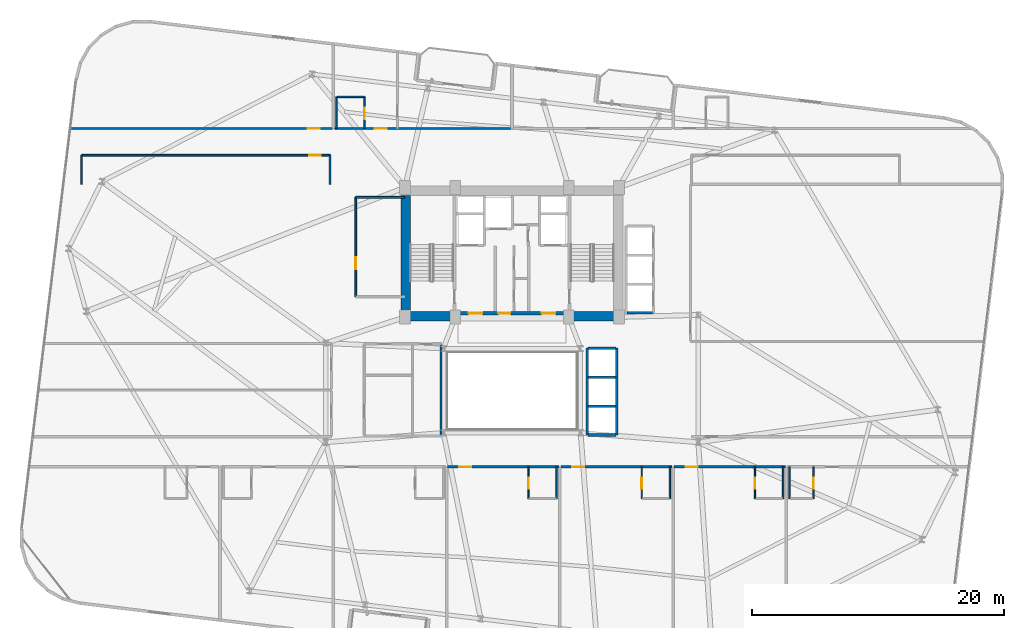
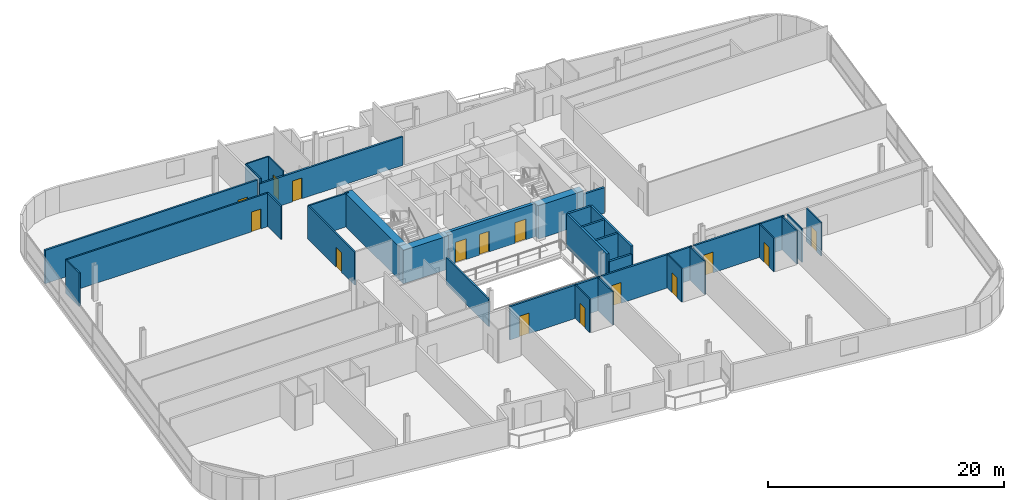
# One storey, part 21 of 26: 33 walls, 15 doors, 15 openings.
"""IFC4 building model written with IfcOpenShell, lengths in metres."""

import ifcopenshell
import ifcopenshell.guid

model = None  # the IFC model being written
_history = None  # IfcOwnerHistory: only IFC2X3 demands one
_inside = {}  # id of a spatial element -> (the spatial element, [elements in it])
_under = {}  # id of a project, library or spatial element -> (it, [spatial elements below it])
_declared = {}  # id of a project -> (the project, [libraries it declares])
_typed = {}  # id of a type object -> (the type object, [elements of that type])
_made_of = {}  # id of a material, layer set ... -> (it, [elements and type objects made of it])


def new_model(schema):
    """Start an empty IFC model of exactly this schema.

    Asked for "IFC4X3", IfcOpenShell would pick the latest addendum, in which some entities
    have other attributes; the version numbers below select the first issue.
    IFC2X3 requires an IfcOwnerHistory on every rooted entity: one is made here for all.
    """
    global model, _history
    if schema == "IFC4X3":
        model = ifcopenshell.file(schema_version=(4, 3, 0, 0))
    else:
        model = ifcopenshell.file(schema=schema)
    _inside.clear()
    _under.clear()
    _declared.clear()
    _typed.clear()
    _made_of.clear()
    _history = None
    if model.schema == "IFC2X3":
        org = make("IfcOrganization", Name="unknown")
        user = make(
            "IfcPersonAndOrganization",
            ThePerson=make("IfcPerson", FamilyName="unknown"),
            TheOrganization=org,
        )
        app = make(
            "IfcApplication",
            ApplicationDeveloper=org,
            Version="unknown",
            ApplicationFullName="unknown",
            ApplicationIdentifier="unknown",
        )
        _history = make(
            "IfcOwnerHistory",
            OwningUser=user,
            OwningApplication=app,
            ChangeAction="ADDED",
            CreationDate=0,
        )
    return model


def make(cls, **values):
    """One entity of the class cls with the attributes given. An attribute that is None is left unset."""
    return model.create_entity(
        cls, **{name: value for name, value in values.items() if value is not None}
    )


def rooted(cls, **values):
    """An entity with a GlobalId (a new one), such as an element, a storey or a relation."""
    return make(cls, GlobalId=ifcopenshell.guid.new(), OwnerHistory=_history, **values)


def si_unit(unit_type, name, prefix=None):
    """IfcSIUnit, for example si_unit("LENGTHUNIT", "METRE", prefix="MILLI")."""
    return make("IfcSIUnit", UnitType=unit_type, Prefix=prefix, Name=name)


def assignment(units):
    """IfcUnitAssignment: the units of a project."""
    return None if units is None else make("IfcUnitAssignment", Units=units)


def point(xyz):
    """IfcCartesianPoint."""
    return None if xyz is None else make("IfcCartesianPoint", Coordinates=xyz)


def direction(xyz):
    """IfcDirection."""
    return None if xyz is None else make("IfcDirection", DirectionRatios=xyz)


def frame(location, z_axis=None, x_axis=None):
    """IfcAxis2Placement3D, a coordinate frame: its origin and axes. An axis left out is left unset."""
    return make(
        "IfcAxis2Placement3D",
        Location=point(location),
        Axis=direction(z_axis),
        RefDirection=direction(x_axis),
    )


def frame_2d(location, x_axis=None):
    """IfcAxis2Placement2D, a coordinate frame in the plane: its origin and x axis."""
    return make(
        "IfcAxis2Placement2D", Location=point(location), RefDirection=direction(x_axis)
    )


def origin():
    """The frame at (0, 0, 0) with its axes left unset."""
    return frame((0.0, 0.0, 0.0))


def place(relative_to, where):
    """IfcLocalPlacement: puts the frame where relative to a parent placement (None: the world)."""
    return make(
        "IfcLocalPlacement", PlacementRelTo=relative_to, RelativePlacement=where
    )


def context(
    kind, dimensions, precision=None, world=None, true_north=None, identifier=None
):
    """IfcGeometricRepresentationContext, for example the 3D "Model" context."""
    return make(
        "IfcGeometricRepresentationContext",
        ContextIdentifier=identifier,
        ContextType=kind,
        CoordinateSpaceDimension=dimensions,
        Precision=precision,
        WorldCoordinateSystem=world,
        TrueNorth=true_north,
    )


def subcontext(parent, identifier, kind, view, scale=None):
    """IfcGeometricRepresentationSubContext, for example "Body" below "Model"."""
    return make(
        "IfcGeometricRepresentationSubContext",
        ContextIdentifier=identifier,
        ContextType=kind,
        ParentContext=parent,
        TargetScale=scale,
        TargetView=view,
    )


def project(units=None, contexts=None):
    """IfcProject with its units and contexts."""
    return rooted(
        "IfcProject",
        Name="project",
        RepresentationContexts=contexts,
        UnitsInContext=assignment(units),
    )


def spatial(cls, under=None, at=None, **own):
    """A site, building, storey or space (cls), placed at a placement, below another one or the project."""
    s = rooted(cls, ObjectPlacement=at, **own)
    if under is not None:
        _under.setdefault(under.id(), (under, []))[1].append(s)
    return s


def profile(cls, at=None, kind="AREA", **sizes):
    """A parametric profile (cls). Its sizes go by their IFC names, for example OverallWidth=200.0."""
    return make(cls, ProfileType=kind, Position=at, **sizes)


def rectangle(**sizes):
    """IfcRectangleProfileDef."""
    return profile("IfcRectangleProfileDef", **sizes)


def extrude(swept, where, along, depth):
    """IfcExtrudedAreaSolid: the profile swept, set in the frame where, extruded along a direction by depth."""
    return make(
        "IfcExtrudedAreaSolid",
        SweptArea=swept,
        Position=where,
        ExtrudedDirection=direction(along),
        Depth=depth,
    )


def shape(context_of_items, identifier, shape_type, items):
    """IfcShapeRepresentation: the items that make up one representation, for example the "Body"."""
    return make(
        "IfcShapeRepresentation",
        ContextOfItems=context_of_items,
        RepresentationIdentifier=identifier,
        RepresentationType=shape_type,
        Items=items,
    )


def material(Name=None, Category=None):
    """IfcMaterial."""
    return make("IfcMaterial", Name=Name, Category=Category)


def layer(
    of_material, thickness, ventilated=None, Name=None, Category=None, Priority=None
):
    """IfcMaterialLayer: one layer of a wall or slab, of a material (None: an air gap)."""
    return make(
        "IfcMaterialLayer",
        Material=of_material,
        LayerThickness=thickness,
        IsVentilated=ventilated,
        Name=Name,
        Category=Category,
        Priority=Priority,
    )


def layer_set(layers, Name=None):
    """IfcMaterialLayerSet."""
    return make("IfcMaterialLayerSet", MaterialLayers=layers, LayerSetName=Name)


def made_of(thing, what):
    """Note that an element or type object is made of a material, layer set ...; save() writes the relation."""
    if what is not None:
        _made_of.setdefault(what.id(), (what, []))[1].append(thing)
    return thing


def type_object(cls, material=None, **own):
    """A type object (cls), such as IfcWallType, which elements share."""
    return made_of(rooted(cls, **own), material)


def element(
    cls,
    number,
    at=None,
    inside=None,
    cuts=None,
    type_object=None,
    material=None,
    context=None,
    identifier="Body",
    shape_type=None,
    held_by="IfcProductDefinitionShape",
    body=None,
    shapes=None,
    **own,
):
    """One element of the class cls, such as IfcWall. Its Tag is "e" and its number.

    at: its placement. inside: the storey or other place that contains it. cuts: it is an
    opening in that element (IfcRelVoidsElement). A single representation is given by context,
    identifier, shape_type and body (its items); several are given by shapes. held_by: the class
    of the entity that holds the representations. save() writes the other relations.
    """
    e = rooted(cls, Tag="e%d" % number, ObjectPlacement=at, **own)
    if body is not None:
        shapes = [shape(context, identifier, shape_type, body)]
    if shapes is not None:
        e.Representation = make(held_by, Representations=shapes)
    if inside is not None:
        _inside.setdefault(inside.id(), (inside, []))[1].append(e)
    if cuts is not None:
        rooted(
            "IfcRelVoidsElement", RelatingBuildingElement=cuts, RelatedOpeningElement=e
        )
    if type_object is not None:
        _typed.setdefault(type_object.id(), (type_object, []))[1].append(e)
    return made_of(e, material)


def fill(opening, filler):
    """IfcRelFillsElement: the door or window that sits in an opening."""
    return rooted(
        "IfcRelFillsElement",
        RelatingOpeningElement=opening,
        RelatedBuildingElement=filler,
    )


def aggregate(whole, parts):
    """IfcRelAggregates: a whole, such as a stair, and the parts it consists of."""
    return rooted("IfcRelAggregates", RelatingObject=whole, RelatedObjects=parts)


def save(model, path):
    """Write the relations noted so far, then the file.

    IfcRelAggregates (storeys below a building ...), IfcRelContainedInSpatialStructure (elements
    in a storey), IfcRelDefinesByType, IfcRelAssociatesMaterial and IfcRelDeclares: one each for
    every whole, place, type object, material and project.
    """
    for whole, parts in _under.values():
        aggregate(whole, parts)
    for where, things in _inside.values():
        rooted(
            "IfcRelContainedInSpatialStructure",
            RelatedElements=things,
            RelatingStructure=where,
        )
    for kind, things in _typed.values():
        rooted("IfcRelDefinesByType", RelatedObjects=things, RelatingType=kind)
    for what, things in _made_of.values():
        rooted("IfcRelAssociatesMaterial", RelatedObjects=things, RelatingMaterial=what)
    for by, libraries in _declared.values():
        rooted("IfcRelDeclares", RelatingContext=by, RelatedDefinitions=libraries)
    model.write(path)


model = new_model("IFC4")

# Units and contexts
model_context = context("Model", 3, precision=1e-05, world=origin(), true_north=direction((0.0, 1.0)))
body_context = subcontext(model_context, "Body", "Model", "MODEL_VIEW")
ifc_project = project(units=[si_unit("LENGTHUNIT", "METRE"), si_unit("AREAUNIT", "SQUARE_METRE"), si_unit("VOLUMEUNIT", "CUBIC_METRE"), si_unit("PLANEANGLEUNIT", "RADIAN"), si_unit("MASSUNIT", "GRAM", prefix="KILO")], contexts=[model_context])

# Site, building, storey
site_placement = place(None, origin())
site = spatial("IfcSite", under=ifc_project, at=site_placement, CompositionType="ELEMENT")
building_placement = place(site_placement, origin())
building = spatial("IfcBuilding", under=site, at=building_placement, Name="Varnelok Gate Tower", CompositionType="ELEMENT")
storey_placement = place(building_placement, frame((0.0, 0.0, 151.300048828125)))
storey = spatial("IfcBuildingStorey", under=building, at=storey_placement, Name="L38", CompositionType="ELEMENT", Elevation=151.300048828125)

# Wall, opening, door
ifc_material_1 = material(Name="Gypsum Plasterboard Acoustic Partition", Category="gypsum")
ifc_layer_1 = layer(ifc_material_1, 0.179931640625)
ifc_layer_set_1 = layer_set([ifc_layer_1], Name="Gypsum Plasterboard Acoustic Partition")
wall_type_1 = type_object("IfcWallType", Name="PW-CORR-180", PredefinedType="PARTITIONING", material=ifc_layer_set_1)
wall_1_placement = place(storey_placement, frame((34.080078125, 16.85009765625, 0.0), z_axis=(0.0, 0.0, 1.0), x_axis=(1.0, 0.0, 0.0)))
wall_1 = element("IfcWall", 1, at=wall_1_placement, inside=storey, type_object=wall_type_1, Name="Interior Partition", PredefinedType="PARTITIONING", context=body_context, shape_type="SweptSolid", body=[
    extrude(rectangle(XDim=8.83984375, YDim=0.179931640625, at=frame_2d((4.419921875, 0.0))), origin(), (0.0, 0.0, 1.0), 3.449951171875),
])
opening_1_placement = place(wall_1_placement, frame((0.91796875, 0.0, 0.0)))
opening_1 = element("IfcOpeningElement", 2, at=opening_1_placement, cuts=wall_1, Name="Opening D-HT", PredefinedType="OPENING", context=body_context, shape_type="SweptSolid", body=[
    extrude(rectangle(XDim=0.949951171875, YDim=2.14990234375, at=frame_2d((0.47509765625, 1.074951171875))), frame((0.0, 0.099853515625, 0.0), z_axis=(0.0, -1.0, 0.0), x_axis=(1.0, 0.0, 0.0)), (0.0, 0.0, 1.0), 0.199951171875),
])
ifc_material_2 = material(Name="Engineered Hardwood Timber", Category="wood")
door_type_1 = type_object("IfcDoorType", Name="DR-HTL-950", OperationType="NOTDEFINED", PredefinedType="DOOR", material=ifc_material_2)
door_1_placement = place(opening_1_placement, origin())
door_1 = element("IfcDoor", 3, at=door_1_placement, inside=storey, type_object=door_type_1, Name="L38 Guest Room 04 Entrance Door", OperationType="SINGLE_SWING_LEFT", OverallHeight=2.14990234375, OverallWidth=0.949951171875, PredefinedType="DOOR", context=body_context, shape_type="SweptSolid", body=[
    extrude(rectangle(XDim=0.949951171875, YDim=2.14990234375, at=frame_2d((0.47509765625, 1.074951171875))), frame((0.0, 0.02490234375, 0.0), z_axis=(0.0, -1.0, 0.0), x_axis=(1.0, 0.0, 0.0)), (0.0, 0.0, 1.0), 0.050048828125),
])
fill(opening_1, door_1)

wall_2_placement = place(storey_placement, frame((43.080078125, 16.85009765625, 0.0), z_axis=(0.0, 0.0, 1.0), x_axis=(1.0, 0.0, 0.0)))
wall_2 = element("IfcWall", 4, at=wall_2_placement, inside=storey, type_object=wall_type_1, Name="Interior Partition", PredefinedType="PARTITIONING", context=body_context, shape_type="SweptSolid", body=[
    extrude(rectangle(XDim=8.83984375, YDim=0.179931640625, at=frame_2d((4.419921875, 0.0))), origin(), (0.0, 0.0, 1.0), 3.449951171875),
])
opening_2_placement = place(wall_2_placement, frame((0.91796875, 0.0, 0.0)))
opening_2 = element("IfcOpeningElement", 5, at=opening_2_placement, cuts=wall_2, Name="Opening D-HT", PredefinedType="OPENING", context=body_context, shape_type="SweptSolid", body=[
    extrude(rectangle(XDim=0.949951171875, YDim=2.14990234375, at=frame_2d((0.47509765625, 1.074951171875))), frame((0.0, 0.099853515625, 0.0), z_axis=(0.0, -1.0, 0.0), x_axis=(1.0, 0.0, 0.0)), (0.0, 0.0, 1.0), 0.199951171875),
])
door_2_placement = place(opening_2_placement, origin())
door_2 = element("IfcDoor", 6, at=door_2_placement, inside=storey, type_object=door_type_1, Name="L38 Guest Room 05 Entrance Door", OperationType="SINGLE_SWING_RIGHT", OverallHeight=2.14990234375, OverallWidth=0.949951171875, PredefinedType="DOOR", context=body_context, shape_type="SweptSolid", body=[
    extrude(rectangle(XDim=0.949951171875, YDim=2.14990234375, at=frame_2d((0.47509765625, 1.074951171875))), frame((0.0, 0.02490234375, 0.0), z_axis=(0.0, -1.0, 0.0), x_axis=(1.0, 0.0, 0.0)), (0.0, 0.0, 1.0), 0.050048828125),
])
fill(opening_2, door_2)

wall_3_placement = place(storey_placement, frame((52.080078125, 16.85009765625, 0.0), z_axis=(0.0, 0.0, 1.0), x_axis=(1.0, 0.0, 0.0)))
wall_3 = element("IfcWall", 7, at=wall_3_placement, inside=storey, type_object=wall_type_1, Name="Interior Partition", PredefinedType="PARTITIONING", context=body_context, shape_type="SweptSolid", body=[
    extrude(rectangle(XDim=8.83984375, YDim=0.179931640625, at=frame_2d((4.419921875, 0.0))), origin(), (0.0, 0.0, 1.0), 3.449951171875),
])
opening_3_placement = place(wall_3_placement, frame((0.91796875, 0.0, 0.0)))
opening_3 = element("IfcOpeningElement", 8, at=opening_3_placement, cuts=wall_3, Name="Opening D-HT", PredefinedType="OPENING", context=body_context, shape_type="SweptSolid", body=[
    extrude(rectangle(XDim=0.949951171875, YDim=2.14990234375, at=frame_2d((0.47509765625, 1.074951171875))), frame((0.0, 0.099853515625, 0.0), z_axis=(0.0, -1.0, 0.0), x_axis=(1.0, 0.0, 0.0)), (0.0, 0.0, 1.0), 0.199951171875),
])
door_3_placement = place(opening_3_placement, origin())
door_3 = element("IfcDoor", 9, at=door_3_placement, inside=storey, type_object=door_type_1, Name="L38 Guest Room 06 Entrance Door", OperationType="SINGLE_SWING_LEFT", OverallHeight=2.14990234375, OverallWidth=0.949951171875, PredefinedType="DOOR", context=body_context, shape_type="SweptSolid", body=[
    extrude(rectangle(XDim=0.949951171875, YDim=2.14990234375, at=frame_2d((0.47509765625, 1.074951171875))), frame((0.0, 0.02490234375, 0.0), z_axis=(0.0, -1.0, 0.0), x_axis=(1.0, 0.0, 0.0)), (0.0, 0.0, 1.0), 0.050048828125),
])
fill(opening_3, door_3)

wall_4_placement = place(storey_placement, frame((4.142822265625, 43.72998046875, 0.0), z_axis=(0.0, 0.0, 1.0), x_axis=(1.0, 0.0, 0.0)))
wall_4 = element("IfcWall", 10, at=wall_4_placement, inside=storey, type_object=wall_type_1, Name="Interior Partition", PredefinedType="PARTITIONING", context=body_context, shape_type="SweptSolid", body=[
    extrude(rectangle(XDim=20.777099609375, YDim=0.179931640625, at=frame_2d((10.388671875, 0.0))), origin(), (0.0, 0.0, 1.0), 3.449951171875),
])
opening_4_placement = place(wall_4_placement, frame((18.83203125, 0.0, 0.0)))
opening_4 = element("IfcOpeningElement", 11, at=opening_4_placement, cuts=wall_4, Name="Opening D-I2", PredefinedType="OPENING", context=body_context, shape_type="SweptSolid", body=[
    extrude(rectangle(XDim=0.949951171875, YDim=2.050048828125, at=frame_2d((0.47509765625, 1.02490234375))), frame((0.0, 0.099853515625, 0.0), z_axis=(0.0, -1.0, 0.0), x_axis=(1.0, 0.0, 0.0)), (0.0, 0.0, 1.0), 0.199951171875),
])
door_type_2 = type_object("IfcDoorType", Name="DR-INT-950", OperationType="NOTDEFINED", PredefinedType="DOOR", material=ifc_material_2)
door_4_placement = place(opening_4_placement, origin())
door_4 = element("IfcDoor", 12, at=door_4_placement, inside=storey, type_object=door_type_2, Name="L38 Sky Library Door", OperationType="SINGLE_SWING_LEFT", OverallHeight=2.050048828125, OverallWidth=0.949951171875, PredefinedType="DOOR", context=body_context, shape_type="SweptSolid", body=[
    extrude(rectangle(XDim=0.949951171875, YDim=2.050048828125, at=frame_2d((0.47509765625, 1.02490234375))), frame((0.0, 0.02490234375, 0.0), z_axis=(0.0, -1.0, 0.0), x_axis=(1.0, 0.0, 0.0)), (0.0, 0.0, 1.0), 0.050048828125),
])
fill(opening_4, door_4)

wall_5_placement = place(storey_placement, frame((25.080078125, 43.72998046875, 0.0), z_axis=(0.0, 0.0, 1.0), x_axis=(1.0, 0.0, 0.0)))
wall_5 = element("IfcWall", 13, at=wall_5_placement, inside=storey, type_object=wall_type_1, Name="Interior Partition", PredefinedType="PARTITIONING", context=body_context, shape_type="SweptSolid", body=[
    extrude(rectangle(XDim=14.0400390625, YDim=0.179931640625, at=frame_2d((7.02001953125, 0.0))), origin(), (0.0, 0.0, 1.0), 2.971923828125),
])
opening_5_placement = place(wall_5_placement, frame((3.22998046875, 0.0, 0.0)))
opening_5 = element("IfcOpeningElement", 14, at=opening_5_placement, cuts=wall_5, Name="Opening D-HT", PredefinedType="OPENING", context=body_context, shape_type="SweptSolid", body=[
    extrude(rectangle(XDim=0.949951171875, YDim=2.14990234375, at=frame_2d((0.47509765625, 1.074951171875))), frame((0.0, 0.099853515625, 0.0), z_axis=(0.0, -1.0, 0.0), x_axis=(1.0, 0.0, 0.0)), (0.0, 0.0, 1.0), 0.199951171875),
])
door_5_placement = place(opening_5_placement, origin())
door_5 = element("IfcDoor", 15, at=door_5_placement, inside=storey, type_object=door_type_1, Name="L38 Guest Room 09 Entrance Door", OperationType="SINGLE_SWING_RIGHT", OverallHeight=2.14990234375, OverallWidth=0.949951171875, PredefinedType="DOOR", context=body_context, shape_type="SweptSolid", body=[
    extrude(rectangle(XDim=0.949951171875, YDim=2.14990234375, at=frame_2d((0.47509765625, 1.074951171875))), frame((0.0, 0.02490234375, 0.0), z_axis=(0.0, -1.0, 0.0), x_axis=(1.0, 0.0, 0.0)), (0.0, 0.0, 1.0), 0.050048828125),
])
fill(opening_5, door_5)

ifc_layer_2 = layer(ifc_material_1, 0.114990234375)
ifc_layer_set_2 = layer_set([ifc_layer_2], Name="Gypsum Plasterboard Acoustic Partition")
wall_type_2 = type_object("IfcWallType", Name="PW-ENS-125", PredefinedType="PARTITIONING", material=ifc_layer_set_2)
wall_6_placement = place(storey_placement, frame((40.510009765625, 14.330078125, 0.0), z_axis=(0.0, 0.0, 1.0), x_axis=(0.0, 1.0, 0.0)))
wall_6 = element("IfcWall", 16, at=wall_6_placement, inside=storey, type_object=wall_type_2, Name="Interior Partition", PredefinedType="PARTITIONING", context=body_context, shape_type="SweptSolid", body=[
    extrude(rectangle(XDim=2.52001953125, YDim=0.114990234375, at=frame_2d((1.260009765625, 0.0))), origin(), (0.0, 0.0, 1.0), 3.449951171875),
])
opening_6_placement = place(wall_6_placement, frame((0.760009765625, 0.0, 0.0)))
opening_6 = element("IfcOpeningElement", 17, at=opening_6_placement, cuts=wall_6, Name="Opening D-WC", PredefinedType="OPENING", context=body_context, shape_type="SweptSolid", body=[
    extrude(rectangle(XDim=0.89990234375, YDim=2.050048828125, at=frame_2d((0.449951171875, 1.02490234375))), frame((0.0, 0.0673828125, 0.0), z_axis=(0.0, -1.0, 0.0), x_axis=(1.0, 0.0, 0.0)), (0.0, 0.0, 1.0), 0.135009765625),
])
door_type_3 = type_object("IfcDoorType", Name="DR-BATH-900", OperationType="NOTDEFINED", PredefinedType="DOOR", material=ifc_material_2)
door_6_placement = place(opening_6_placement, origin())
door_6 = element("IfcDoor", 18, at=door_6_placement, inside=storey, type_object=door_type_3, Name="L38 Guest En-Suite 04 Door", OperationType="SINGLE_SWING_RIGHT", OverallHeight=2.050048828125, OverallWidth=0.89990234375, PredefinedType="DOOR", context=body_context, shape_type="SweptSolid", body=[
    extrude(rectangle(XDim=0.89990234375, YDim=2.050048828125, at=frame_2d((0.449951171875, 1.02490234375))), frame((0.0, 0.02490234375, 0.0), z_axis=(0.0, -1.0, 0.0), x_axis=(1.0, 0.0, 0.0)), (0.0, 0.0, 1.0), 0.050048828125),
])
fill(opening_6, door_6)

# Wall
wall_7_placement = place(storey_placement, frame((42.739990234375, 14.330078125, 0.0), z_axis=(0.0, 0.0, 1.0), x_axis=(0.0, 1.0, 0.0)))
element("IfcWall", 19, at=wall_7_placement, inside=storey, type_object=wall_type_2, Name="Interior Partition", PredefinedType="PARTITIONING", context=body_context, shape_type="SweptSolid", body=[
    extrude(rectangle(XDim=2.52001953125, YDim=0.114990234375, at=frame_2d((1.260009765625, 0.0))), origin(), (0.0, 0.0, 1.0), 3.449951171875),
])

# Wall, opening, door
wall_8_placement = place(storey_placement, frame((49.510009765625, 14.330078125, 0.0), z_axis=(0.0, 0.0, 1.0), x_axis=(0.0, 1.0, 0.0)))
wall_8 = element("IfcWall", 20, at=wall_8_placement, inside=storey, type_object=wall_type_2, Name="Interior Partition", PredefinedType="PARTITIONING", context=body_context, shape_type="SweptSolid", body=[
    extrude(rectangle(XDim=2.52001953125, YDim=0.114990234375, at=frame_2d((1.260009765625, 0.0))), origin(), (0.0, 0.0, 1.0), 3.449951171875),
])
opening_7_placement = place(wall_8_placement, frame((0.760009765625, 0.0, 0.0)))
opening_7 = element("IfcOpeningElement", 21, at=opening_7_placement, cuts=wall_8, Name="Opening D-WC", PredefinedType="OPENING", context=body_context, shape_type="SweptSolid", body=[
    extrude(rectangle(XDim=0.89990234375, YDim=2.050048828125, at=frame_2d((0.449951171875, 1.02490234375))), frame((0.0, 0.0673828125, 0.0), z_axis=(0.0, -1.0, 0.0), x_axis=(1.0, 0.0, 0.0)), (0.0, 0.0, 1.0), 0.135009765625),
])
door_7_placement = place(opening_7_placement, origin())
door_7 = element("IfcDoor", 22, at=door_7_placement, inside=storey, type_object=door_type_3, Name="L38 Guest En-Suite 05 Door", OperationType="SINGLE_SWING_RIGHT", OverallHeight=2.050048828125, OverallWidth=0.89990234375, PredefinedType="DOOR", context=body_context, shape_type="SweptSolid", body=[
    extrude(rectangle(XDim=0.89990234375, YDim=2.050048828125, at=frame_2d((0.449951171875, 1.02490234375))), frame((0.0, 0.02490234375, 0.0), z_axis=(0.0, -1.0, 0.0), x_axis=(1.0, 0.0, 0.0)), (0.0, 0.0, 1.0), 0.050048828125),
])
fill(opening_7, door_7)

# Wall
wall_9_placement = place(storey_placement, frame((51.739990234375, 14.330078125, 0.0), z_axis=(0.0, 0.0, 1.0), x_axis=(0.0, 1.0, 0.0)))
element("IfcWall", 23, at=wall_9_placement, inside=storey, type_object=wall_type_2, Name="Interior Partition", PredefinedType="PARTITIONING", context=body_context, shape_type="SweptSolid", body=[
    extrude(rectangle(XDim=2.52001953125, YDim=0.114990234375, at=frame_2d((1.260009765625, 0.0))), origin(), (0.0, 0.0, 1.0), 3.449951171875),
])

# Wall, opening, door
wall_10_placement = place(storey_placement, frame((58.510009765625, 14.330078125, 0.0), z_axis=(0.0, 0.0, 1.0), x_axis=(0.0, 1.0, 0.0)))
wall_10 = element("IfcWall", 24, at=wall_10_placement, inside=storey, type_object=wall_type_2, Name="Interior Partition", PredefinedType="PARTITIONING", context=body_context, shape_type="SweptSolid", body=[
    extrude(rectangle(XDim=2.52001953125, YDim=0.114990234375, at=frame_2d((1.260009765625, 0.0))), origin(), (0.0, 0.0, 1.0), 3.449951171875),
])
opening_8_placement = place(wall_10_placement, frame((0.760009765625, 0.0, 0.0)))
opening_8 = element("IfcOpeningElement", 25, at=opening_8_placement, cuts=wall_10, Name="Opening D-WC", PredefinedType="OPENING", context=body_context, shape_type="SweptSolid", body=[
    extrude(rectangle(XDim=0.89990234375, YDim=2.050048828125, at=frame_2d((0.449951171875, 1.02490234375))), frame((0.0, 0.0673828125, 0.0), z_axis=(0.0, -1.0, 0.0), x_axis=(1.0, 0.0, 0.0)), (0.0, 0.0, 1.0), 0.135009765625),
])
door_8_placement = place(opening_8_placement, origin())
door_8 = element("IfcDoor", 26, at=door_8_placement, inside=storey, type_object=door_type_3, Name="L38 Guest En-Suite 06 Door", OperationType="SINGLE_SWING_RIGHT", OverallHeight=2.050048828125, OverallWidth=0.89990234375, PredefinedType="DOOR", context=body_context, shape_type="SweptSolid", body=[
    extrude(rectangle(XDim=0.89990234375, YDim=2.050048828125, at=frame_2d((0.449951171875, 1.02490234375))), frame((0.0, 0.02490234375, 0.0), z_axis=(0.0, -1.0, 0.0), x_axis=(1.0, 0.0, 0.0)), (0.0, 0.0, 1.0), 0.050048828125),
])
fill(opening_8, door_8)

# Wall
wall_11_placement = place(storey_placement, frame((60.739990234375, 14.330078125, 0.0), z_axis=(0.0, 0.0, 1.0), x_axis=(0.0, 1.0, 0.0)))
element("IfcWall", 27, at=wall_11_placement, inside=storey, type_object=wall_type_2, Name="Interior Partition", PredefinedType="PARTITIONING", context=body_context, shape_type="SweptSolid", body=[
    extrude(rectangle(XDim=2.52001953125, YDim=0.114990234375, at=frame_2d((1.260009765625, 0.0))), origin(), (0.0, 0.0, 1.0), 3.449951171875),
])

# Wall, opening, door
wall_12_placement = place(storey_placement, frame((63.147216796875, 14.330078125, 0.0), z_axis=(0.0, 0.0, 1.0), x_axis=(0.0, 1.0, 0.0)))
wall_12 = element("IfcWall", 28, at=wall_12_placement, inside=storey, type_object=wall_type_2, Name="Interior Partition", PredefinedType="PARTITIONING", context=body_context, shape_type="SweptSolid", body=[
    extrude(rectangle(XDim=2.52001953125, YDim=0.114990234375, at=frame_2d((1.260009765625, 0.0))), origin(), (0.0, 0.0, 1.0), 3.449951171875),
])
opening_9_placement = place(wall_12_placement, frame((0.760009765625, 0.0, 0.0)))
opening_9 = element("IfcOpeningElement", 29, at=opening_9_placement, cuts=wall_12, Name="Opening D-WC", PredefinedType="OPENING", context=body_context, shape_type="SweptSolid", body=[
    extrude(rectangle(XDim=0.89990234375, YDim=2.050048828125, at=frame_2d((0.449951171875, 1.02490234375))), frame((0.0, 0.0673828125, 0.0), z_axis=(0.0, -1.0, 0.0), x_axis=(1.0, 0.0, 0.0)), (0.0, 0.0, 1.0), 0.135009765625),
])
door_9_placement = place(opening_9_placement, origin())
door_9 = element("IfcDoor", 30, at=door_9_placement, inside=storey, type_object=door_type_3, Name="L38 Guest En-Suite 07 Door", OperationType="SINGLE_SWING_LEFT", OverallHeight=2.050048828125, OverallWidth=0.89990234375, PredefinedType="DOOR", context=body_context, shape_type="SweptSolid", body=[
    extrude(rectangle(XDim=0.89990234375, YDim=2.050048828125, at=frame_2d((0.449951171875, 1.02490234375))), frame((0.0, 0.02490234375, 0.0), z_axis=(0.0, -1.0, 0.0), x_axis=(1.0, 0.0, 0.0)), (0.0, 0.0, 1.0), 0.050048828125),
])
fill(opening_9, door_9)

# Walls
wall_13_placement = place(storey_placement, frame((61.260009765625, 14.330078125, 0.0), z_axis=(0.0, 0.0, 1.0), x_axis=(0.0, 1.0, 0.0)))
element("IfcWall", 31, at=wall_13_placement, inside=storey, type_object=wall_type_2, Name="Interior Partition", PredefinedType="PARTITIONING", context=body_context, shape_type="SweptSolid", body=[
    extrude(rectangle(XDim=2.52001953125, YDim=0.114990234375, at=frame_2d((1.260009765625, 0.0))), origin(), (0.0, 0.0, 1.0), 3.449951171875),
])
wall_14_placement = place(storey_placement, frame((25.300048828125, 46.25, 0.0), z_axis=(0.0, 0.0, 1.0), x_axis=(1.0, 0.0, 0.0)))
element("IfcWall", 32, at=wall_14_placement, inside=storey, type_object=wall_type_2, Name="Interior Partition", PredefinedType="PARTITIONING", context=body_context, shape_type="SweptSolid", body=[
    extrude(rectangle(XDim=2.14990234375, YDim=0.114990234375, at=frame_2d((1.074951171875, 0.0))), origin(), (0.0, 0.0, 1.0), 3.449951171875),
])

# Wall, opening, door
wall_15_placement = place(storey_placement, frame((27.489990234375, 43.72998046875, 0.0), z_axis=(0.0, 0.0, 1.0), x_axis=(0.0, 1.0, 0.0)))
wall_15 = element("IfcWall", 33, at=wall_15_placement, inside=storey, type_object=wall_type_2, Name="Interior Partition", PredefinedType="PARTITIONING", context=body_context, shape_type="SweptSolid", body=[
    extrude(rectangle(XDim=2.52001953125, YDim=0.114990234375, at=frame_2d((1.260009765625, 0.0))), origin(), (0.0, 0.0, 1.0), 3.449951171875),
])
opening_10_placement = place(wall_15_placement, frame((0.760009765625, 0.0, 0.0)))
opening_10 = element("IfcOpeningElement", 34, at=opening_10_placement, cuts=wall_15, Name="Opening D-WC", PredefinedType="OPENING", context=body_context, shape_type="SweptSolid", body=[
    extrude(rectangle(XDim=0.89990234375, YDim=2.050048828125, at=frame_2d((0.449951171875, 1.02490234375))), frame((0.0, 0.0673828125, 0.0), z_axis=(0.0, -1.0, 0.0), x_axis=(1.0, 0.0, 0.0)), (0.0, 0.0, 1.0), 0.135009765625),
])
door_10_placement = place(opening_10_placement, origin())
door_10 = element("IfcDoor", 35, at=door_10_placement, inside=storey, type_object=door_type_3, Name="L38 North En-Suite 09 Door", OperationType="SINGLE_SWING_RIGHT", OverallHeight=2.050048828125, OverallWidth=0.89990234375, PredefinedType="DOOR", context=body_context, shape_type="SweptSolid", body=[
    extrude(rectangle(XDim=0.89990234375, YDim=2.050048828125, at=frame_2d((0.449951171875, 1.02490234375))), frame((0.0, 0.02490234375, 0.0), z_axis=(0.0, -1.0, 0.0), x_axis=(1.0, 0.0, 0.0)), (0.0, 0.0, 1.0), 0.050048828125),
])
fill(opening_10, door_10)

# Walls
wall_16_placement = place(storey_placement, frame((25.260009765625, 43.72998046875, 0.0), z_axis=(0.0, 0.0, 1.0), x_axis=(0.0, 1.0, 0.0)))
element("IfcWall", 36, at=wall_16_placement, inside=storey, type_object=wall_type_2, Name="Interior Partition", PredefinedType="PARTITIONING", context=body_context, shape_type="SweptSolid", body=[
    extrude(rectangle(XDim=2.52001953125, YDim=0.114990234375, at=frame_2d((1.260009765625, 0.0))), origin(), (0.0, 0.0, 1.0), 3.449951171875),
])
ifc_layer_3 = layer(ifc_material_1, 0.125)
ifc_layer_set_3 = layer_set([ifc_layer_3], Name="Gypsum Plasterboard Acoustic Partition")
wall_type_3 = type_object("IfcWallType", Name="PW-PART-125", PredefinedType="PARTITIONING", material=ifc_layer_set_3)
for number, where, z_axis, x_axis, name in (
    (37, (5.0, 39.300048828125, 0.0), (0.0, 0.0, 1.0), (0.0, 1.0, 0.0), "Interior Partition"),
    (38, (24.739990234375, 39.300048828125, 0.0), (0.0, 0.0, 1.0), (0.0, 1.0, 0.0), "Interior Partition"),
):
    element("IfcWall", number, at=place(storey_placement, frame(where, z_axis=z_axis, x_axis=x_axis)), inside=storey, type_object=wall_type_3, Name=name, PredefinedType="PARTITIONING", context=body_context, shape_type="SweptSolid", body=[
        extrude(rectangle(XDim=2.31005859375, YDim=0.125, at=frame_2d((1.155029296875, 0.0))), origin(), (0.0, 0.0, 1.0), 3.449951171875),
    ])

# Wall, opening, door
ifc_layer_4 = layer(ifc_material_1, 0.14990234375)
ifc_layer_set_4 = layer_set([ifc_layer_4], Name="Gypsum Plasterboard Acoustic Partition")
wall_type_4 = type_object("IfcWallType", Name="PW-PART-150", PredefinedType="PARTITIONING", material=ifc_layer_set_4)
wall_17_placement = place(storey_placement, frame((5.0, 41.610107421875, 0.0), z_axis=(0.0, 0.0, 1.0), x_axis=(1.0, 0.0, 0.0)))
wall_17 = element("IfcWall", 39, at=wall_17_placement, inside=storey, type_object=wall_type_4, Name="Interior Partition", PredefinedType="PARTITIONING", context=body_context, shape_type="SweptSolid", body=[
    extrude(rectangle(XDim=19.739990234375, YDim=0.14990234375, at=frame_2d((9.8701171875, 0.0))), origin(), (0.0, 0.0, 1.0), 3.449951171875),
])
opening_11_placement = place(wall_17_placement, frame((18.095947265625, 0.0, 0.0)))
opening_11 = element("IfcOpeningElement", 40, at=opening_11_placement, cuts=wall_17, Name="Opening D-I3", PredefinedType="OPENING", context=body_context, shape_type="SweptSolid", body=[
    extrude(rectangle(XDim=0.919921875, YDim=2.050048828125, at=frame_2d((0.4599609375, 1.02490234375))), frame((0.0, 0.0849609375, 0.0), z_axis=(0.0, -1.0, 0.0), x_axis=(1.0, 0.0, 0.0)), (0.0, 0.0, 1.0), 0.169921875),
])
door_type_4 = type_object("IfcDoorType", Name="DR-INT-920", OperationType="NOTDEFINED", PredefinedType="DOOR", material=ifc_material_2)
door_11_placement = place(opening_11_placement, origin())
door_11 = element("IfcDoor", 41, at=door_11_placement, inside=storey, type_object=door_type_4, Name="L38 North Study 1 Door", OperationType="SINGLE_SWING_RIGHT", OverallHeight=2.050048828125, OverallWidth=0.919921875, PredefinedType="DOOR", context=body_context, shape_type="SweptSolid", body=[
    extrude(rectangle(XDim=0.919921875, YDim=2.050048828125, at=frame_2d((0.4599609375, 1.02490234375))), frame((0.0, 0.02490234375, 0.0), z_axis=(0.0, -1.0, 0.0), x_axis=(1.0, 0.0, 0.0)), (0.0, 0.0, 1.0), 0.050048828125),
])
fill(opening_11, door_11)

# Walls
wall_18_placement = place(storey_placement, frame((33.56005859375, 19.3798828125, 0.0), z_axis=(0.0, 0.0, 1.0), x_axis=(0.0, 1.0, 0.0)))
element("IfcWall", 42, at=wall_18_placement, inside=storey, type_object=wall_type_4, Name="Interior Partition", PredefinedType="PARTITIONING", context=body_context, shape_type="SweptSolid", body=[
    extrude(rectangle(XDim=7.16015625, YDim=0.14990234375, at=frame_2d((3.580078125, 0.0))), origin(), (0.0, 0.0, 1.0), 2.823974609375),
])
wall_19_placement = place(storey_placement, frame((26.780029296875, 38.260009765625, 0.0), z_axis=(0.0, 0.0, 1.0), x_axis=(1.0, 0.0, 0.0)))
element("IfcWall", 43, at=wall_19_placement, inside=storey, type_object=wall_type_4, Name="Interior Partition", PredefinedType="PARTITIONING", context=body_context, shape_type="SweptSolid", body=[
    extrude(rectangle(XDim=3.89990234375, YDim=0.14990234375, at=frame_2d((1.949951171875, 0.0))), origin(), (0.0, 0.0, 1.0), 3.449951171875),
])

# Wall, opening, door
wall_20_placement = place(storey_placement, frame((26.780029296875, 30.360107421875, 0.0), z_axis=(0.0, 0.0, 1.0), x_axis=(0.0, 1.0, 0.0)))
wall_20 = element("IfcWall", 44, at=wall_20_placement, inside=storey, type_object=wall_type_4, Name="Interior Partition", PredefinedType="PARTITIONING", context=body_context, shape_type="SweptSolid", body=[
    extrude(rectangle(XDim=7.89990234375, YDim=0.14990234375, at=frame_2d((3.949951171875, 0.0))), origin(), (0.0, 0.0, 1.0), 3.449951171875),
])
opening_12_placement = place(wall_20_placement, frame((2.199951171875, 0.0, 0.0)))
opening_12 = element("IfcOpeningElement", 45, at=opening_12_placement, cuts=wall_20, Name="Opening D-I2", PredefinedType="OPENING", context=body_context, shape_type="SweptSolid", body=[
    extrude(rectangle(XDim=0.949951171875, YDim=2.050048828125, at=frame_2d((0.47509765625, 1.02490234375))), frame((0.0, 0.0849609375, 0.0), z_axis=(0.0, -1.0, 0.0), x_axis=(1.0, 0.0, 0.0)), (0.0, 0.0, 1.0), 0.169921875),
])
door_12_placement = place(opening_12_placement, origin())
door_12 = element("IfcDoor", 46, at=door_12_placement, inside=storey, type_object=door_type_2, Name="L38 Core Valet Door", OperationType="SINGLE_SWING_RIGHT", OverallHeight=2.050048828125, OverallWidth=0.949951171875, PredefinedType="DOOR", context=body_context, shape_type="SweptSolid", body=[
    extrude(rectangle(XDim=0.949951171875, YDim=2.050048828125, at=frame_2d((0.47509765625, 1.02490234375))), frame((0.0, 0.02490234375, 0.0), z_axis=(0.0, -1.0, 0.0), x_axis=(1.0, 0.0, 0.0)), (0.0, 0.0, 1.0), 0.050048828125),
])
fill(opening_12, door_12)

# Walls
ifc_material_3 = material(Name="Concrete C35/45", Category="concrete")
ifc_layer_5 = layer(ifc_material_3, 0.199951171875)
ifc_layer_set_5 = layer_set([ifc_layer_5], Name="Concrete C35/45")
wall_type_5 = type_object("IfcWallType", Name="PW-SHAFT-200", PredefinedType="PARTITIONING", material=ifc_layer_set_5)
wall_21_placement = place(storey_placement, frame((48.320068359375, 29.080078125, 0.0), z_axis=(0.0, 0.0, 1.0), x_axis=(1.0, 0.0, 0.0)))
element("IfcWall", 47, at=wall_21_placement, inside=storey, type_object=wall_type_5, Name="L38 PM Bank South Wall", PredefinedType="PARTITIONING", context=body_context, shape_type="SweptSolid", body=[
    extrude(rectangle(XDim=2.059814453125, YDim=0.199951171875, at=frame_2d((1.02978515625, 0.0))), origin(), (0.0, 0.0, 1.0), 2.661865234375),
])
for number, where, z_axis, x_axis, name in (
    (48, (45.239990234375, 21.675048828125, 0.0), (0.0, 0.0, 1.0), (1.0, 0.0, 0.0), "L38 PH1 Divider"),
    (49, (45.239990234375, 23.97509765625, 0.0), (0.0, 0.0, 1.0), (1.0, 0.0, 0.0), "L38 PH2 Divider"),
):
    element("IfcWall", number, at=place(storey_placement, frame(where, z_axis=z_axis, x_axis=x_axis)), inside=storey, type_object=wall_type_5, Name=name, PredefinedType="PARTITIONING", context=body_context, shape_type="SweptSolid", body=[
        extrude(rectangle(XDim=2.219970703125, YDim=0.199951171875, at=frame_2d((1.10986328125, 0.0))), origin(), (0.0, 0.0, 1.0), 3.449951171875),
    ])
wall_22_placement = place(storey_placement, frame((45.239990234375, 19.3798828125, 0.0), z_axis=(0.0, 0.0, 1.0), x_axis=(1.0, 0.0, 0.0)))
element("IfcWall", 50, at=wall_22_placement, inside=storey, type_object=wall_type_5, Name="L38 PH Bank South Wall", PredefinedType="PARTITIONING", context=body_context, shape_type="SweptSolid", body=[
    extrude(rectangle(XDim=2.219970703125, YDim=0.199951171875, at=frame_2d((1.10986328125, 0.0))), origin(), (0.0, 0.0, 1.0), 2.661865234375),
])
wall_23_placement = place(storey_placement, frame((45.239990234375, 26.280029296875, 0.0), z_axis=(0.0, 0.0, 1.0), x_axis=(1.0, 0.0, 0.0)))
element("IfcWall", 51, at=wall_23_placement, inside=storey, type_object=wall_type_5, Name="L38 PH Bank North Wall", PredefinedType="PARTITIONING", context=body_context, shape_type="SweptSolid", body=[
    extrude(rectangle(XDim=2.219970703125, YDim=0.199951171875, at=frame_2d((1.10986328125, 0.0))), origin(), (0.0, 0.0, 1.0), 3.449951171875),
])
for number, where, z_axis, x_axis, name in (
    (52, (45.179931640625, 19.3798828125, 0.0), (0.0, 0.0, 1.0), (0.0, 1.0, 0.0), "L38 PH Bank Atrium Wall"),
    (53, (47.52001953125, 19.3798828125, 0.0), (0.0, 0.0, 1.0), (0.0, 1.0, 0.0), "L38 PH Bank Front Wall"),
):
    element("IfcWall", number, at=place(storey_placement, frame(where, z_axis=z_axis, x_axis=x_axis)), inside=storey, type_object=wall_type_5, Name=name, PredefinedType="PARTITIONING", context=body_context, shape_type="SweptSolid", body=[
        extrude(rectangle(XDim=6.900146484375, YDim=0.199951171875, at=frame_2d((3.4501953125, 0.0))), origin(), (0.0, 0.0, 1.0), 3.449951171875),
    ])
ifc_material_4 = material(Name="Concrete C70/85", Category="concrete")
ifc_layer_6 = layer(ifc_material_4, 0.75)
ifc_layer_set_6 = layer_set([ifc_layer_6], Name="Concrete C70/85")
wall_type_6 = type_object("IfcWallType", Name="SW-CORE-750", PredefinedType="SHEAR", material=ifc_layer_set_6)
wall_24_placement = place(storey_placement, frame((30.7548828125, 29.199951171875, 0.0), z_axis=(0.0, 0.0, 1.0), x_axis=(0.0, 1.0, 0.0)))
element("IfcWall", 54, at=wall_24_placement, inside=storey, type_object=wall_type_6, Name="L38 Rear Core West Shear Wall", PredefinedType="SHEAR", context=body_context, shape_type="SweptSolid", body=[
    extrude(rectangle(XDim=9.219970703125, YDim=0.75, at=frame_2d((4.60986328125, 0.0))), origin(), (0.0, 0.0, 1.0), 3.449951171875),
])
wall_25_placement = place(storey_placement, frame((30.3798828125, 28.824951171875, 0.0), z_axis=(0.0, 0.0, 1.0), x_axis=(1.0, 0.0, 0.0)))
element("IfcWall", 55, at=wall_25_placement, inside=storey, type_object=wall_type_6, Name="L38 Rear Core South-West Shear Wall", PredefinedType="SHEAR", context=body_context, shape_type="SweptSolid", body=[
    extrude(rectangle(XDim=4.420166015625, YDim=0.75, at=frame_2d((2.2099609375, 0.0))), origin(), (0.0, 0.0, 1.0), 3.449951171875),
])
wall_26_placement = place(storey_placement, frame((43.60009765625, 28.824951171875, 0.0), z_axis=(0.0, 0.0, 1.0), x_axis=(1.0, 0.0, 0.0)))
element("IfcWall", 56, at=wall_26_placement, inside=storey, type_object=wall_type_6, Name="L38 Rear Core South-East Shear Wall", PredefinedType="SHEAR", context=body_context, shape_type="SweptSolid", body=[
    extrude(rectangle(XDim=4.419921875, YDim=0.75, at=frame_2d((2.2099609375, 0.0))), origin(), (0.0, 0.0, 1.0), 3.449951171875),
])

# Wall, openings, doors
ifc_material_5 = material(Name="Concrete C60/75", Category="concrete")
ifc_layer_7 = layer(ifc_material_5, 0.300048828125)
ifc_layer_set_7 = layer_set([ifc_layer_7], Name="Concrete C60/75")
wall_type_7 = type_object("IfcWallType", Name="SW-SHAFT-300", PredefinedType="SHEAR", material=ifc_layer_set_7)
wall_27_placement = place(storey_placement, frame((34.800048828125, 29.050048828125, 0.0), z_axis=(0.0, 0.0, 1.0), x_axis=(1.0, 0.0, 0.0)))
wall_27 = element("IfcWall", 57, at=wall_27_placement, inside=storey, type_object=wall_type_7, Name="L38 Rear Core Central Lobby Shear Wall", PredefinedType="SHEAR", context=body_context, shape_type="SweptSolid", body=[
    extrude(rectangle(XDim=8.800048828125, YDim=0.300048828125, at=frame_2d((4.39990234375, 0.0))), origin(), (0.0, 0.0, 1.0), 3.449951171875),
])
opening_13_placement = place(wall_27_placement, frame((0.949951171875, 0.0, 0.0)))
opening_13 = element("IfcOpeningElement", 58, at=opening_13_placement, cuts=wall_27, Name="Opening D-FF", PredefinedType="OPENING", context=body_context, shape_type="SweptSolid", body=[
    extrude(rectangle(XDim=1.10009765625, YDim=2.14990234375, at=frame_2d((0.550048828125, 1.074951171875))), frame((0.0, 0.159912109375, 0.0), z_axis=(0.0, -1.0, 0.0), x_axis=(1.0, 0.0, 0.0)), (0.0, 0.0, 1.0), 0.320068359375),
])
opening_14_placement = place(wall_27_placement, frame((6.75, 0.0, 0.0)))
opening_14 = element("IfcOpeningElement", 59, at=opening_14_placement, cuts=wall_27, Name="Opening D-FF", PredefinedType="OPENING", context=body_context, shape_type="SweptSolid", body=[
    extrude(rectangle(XDim=1.10009765625, YDim=2.14990234375, at=frame_2d((0.550048828125, 1.074951171875))), frame((0.0, 0.159912109375, 0.0), z_axis=(0.0, -1.0, 0.0), x_axis=(1.0, 0.0, 0.0)), (0.0, 0.0, 1.0), 0.320068359375),
])
opening_15_placement = place(wall_27_placement, frame((3.320068359375, 0.0, 0.0)))
opening_15 = element("IfcOpeningElement", 60, at=opening_15_placement, cuts=wall_27, Name="Opening D-CR", PredefinedType="OPENING", context=body_context, shape_type="SweptSolid", body=[
    extrude(rectangle(XDim=0.949951171875, YDim=2.14990234375, at=frame_2d((0.47509765625, 1.074951171875))), frame((0.0, 0.159912109375, 0.0), z_axis=(0.0, -1.0, 0.0), x_axis=(1.0, 0.0, 0.0)), (0.0, 0.0, 1.0), 0.320068359375),
])
ifc_material_6 = material(Name="Galvanized Steel Grade S350GD", Category="steel")
door_type_5 = type_object("IfcDoorType", Name="DR-CORR-950", OperationType="NOTDEFINED", PredefinedType="DOOR", material=ifc_material_6)
door_13_placement = place(opening_15_placement, origin())
door_13 = element("IfcDoor", 61, at=door_13_placement, inside=storey, type_object=door_type_5, Name="L38 Core Service Passage Door", OperationType="SINGLE_SWING_LEFT", OverallHeight=2.14990234375, OverallWidth=0.949951171875, PredefinedType="DOOR", context=body_context, shape_type="SweptSolid", body=[
    extrude(rectangle(XDim=0.949951171875, YDim=2.14990234375, at=frame_2d((0.47509765625, 1.074951171875))), frame((0.0, 0.02490234375, 0.0), z_axis=(0.0, -1.0, 0.0), x_axis=(1.0, 0.0, 0.0)), (0.0, 0.0, 1.0), 0.050048828125),
])
fill(opening_15, door_13)
door_type_6 = type_object("IfcDoorType", Name="DR-FFLOB-1100", OperationType="NOTDEFINED", PredefinedType="DOOR", material=ifc_material_6)
door_14_placement = place(opening_13_placement, origin())
door_14 = element("IfcDoor", 62, at=door_14_placement, inside=storey, type_object=door_type_6, Name="L38 West Firefighting Lobby Fire Door", OperationType="SINGLE_SWING_RIGHT", OverallHeight=2.14990234375, OverallWidth=1.10009765625, PredefinedType="DOOR", context=body_context, shape_type="SweptSolid", body=[
    extrude(rectangle(XDim=1.10009765625, YDim=2.14990234375, at=frame_2d((0.550048828125, 1.074951171875))), frame((0.0, 0.02490234375, 0.0), z_axis=(0.0, -1.0, 0.0), x_axis=(1.0, 0.0, 0.0)), (0.0, 0.0, 1.0), 0.050048828125),
])
fill(opening_13, door_14)
door_15_placement = place(opening_14_placement, origin())
door_15 = element("IfcDoor", 63, at=door_15_placement, inside=storey, type_object=door_type_6, Name="L38 East Firefighting Lobby Fire Door", OperationType="SINGLE_SWING_LEFT", OverallHeight=2.14990234375, OverallWidth=1.10009765625, PredefinedType="DOOR", context=body_context, shape_type="SweptSolid", body=[
    extrude(rectangle(XDim=1.10009765625, YDim=2.14990234375, at=frame_2d((0.550048828125, 1.074951171875))), frame((0.0, 0.02490234375, 0.0), z_axis=(0.0, -1.0, 0.0), x_axis=(1.0, 0.0, 0.0)), (0.0, 0.0, 1.0), 0.050048828125),
])
fill(opening_14, door_15)

save(model, "model.ifc")
